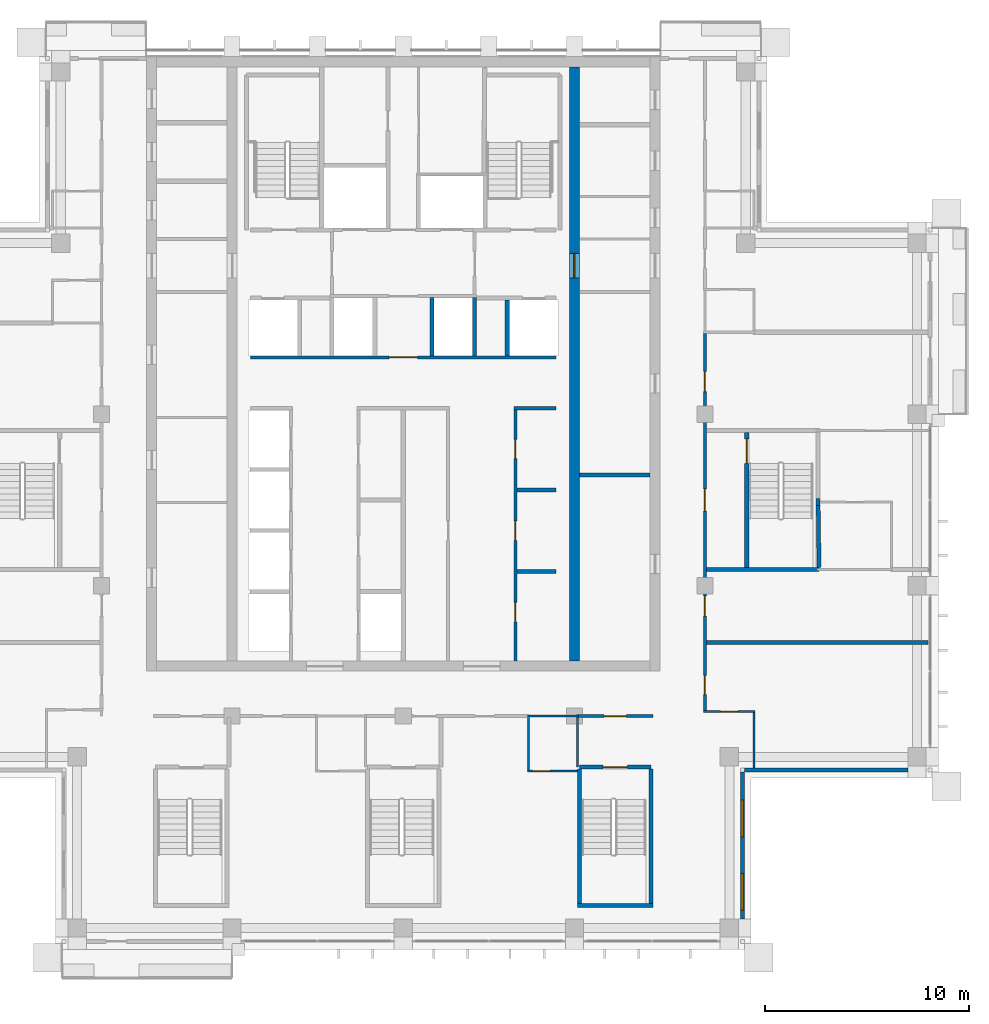
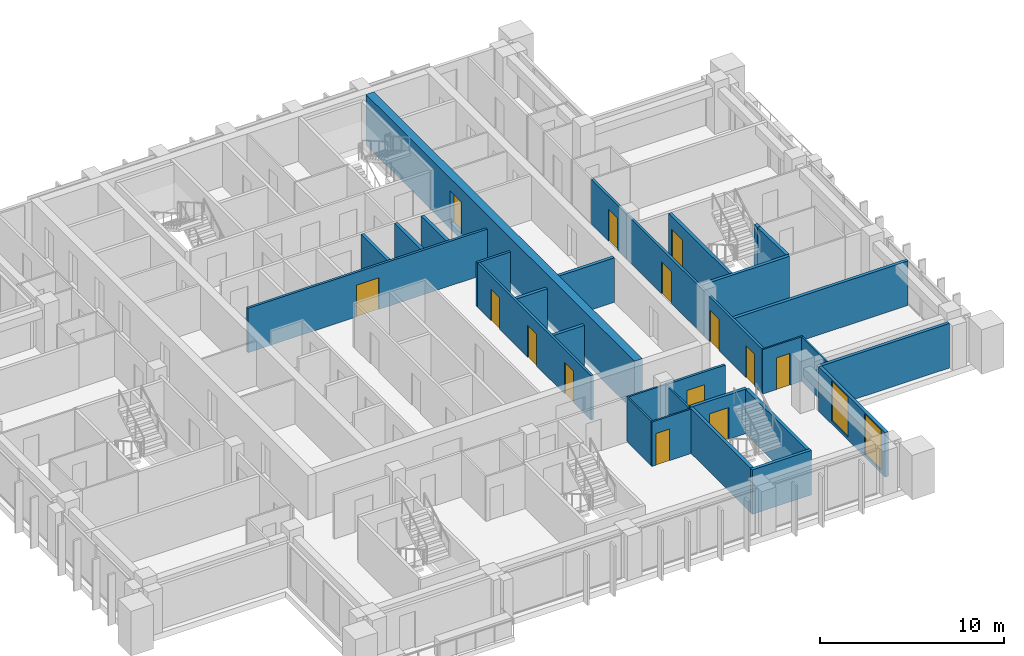
# One storey, part 10 of 18: 29 walls, 14 doors, 2 windows, 16 openings.
"""IFC4 building model written with IfcOpenShell, lengths in metres."""

from ifc_helpers import new_model, si_unit, direction, frame, frame_2d, origin, place, context, subcontext, project, spatial, rectangle, extrude, material, layer, layer_set, type_object, element, fill, save


model = new_model("IFC4")

# Units and contexts
model_context = context("Model", 3, precision=1e-05, world=origin(), true_north=direction((0.0, 1.0)))
body_context = subcontext(model_context, "Body", "Model", "MODEL_VIEW")
ifc_project = project(units=[si_unit("LENGTHUNIT", "METRE"), si_unit("AREAUNIT", "SQUARE_METRE"), si_unit("VOLUMEUNIT", "CUBIC_METRE"), si_unit("PLANEANGLEUNIT", "RADIAN"), si_unit("MASSUNIT", "GRAM", prefix="KILO")], contexts=[model_context])

# Site, building, storey
site_placement = place(None, origin())
site = spatial("IfcSite", under=ifc_project, at=site_placement, CompositionType="ELEMENT")
building_placement = place(site_placement, origin())
building = spatial("IfcBuilding", under=site, at=building_placement, Name="Vermilion Ogive Tower", CompositionType="ELEMENT")
storey_placement = place(building_placement, frame((0.0, 0.0, 261.39990234375)))
storey = spatial("IfcBuildingStorey", under=building, at=storey_placement, Name="L69", CompositionType="ELEMENT", Elevation=261.39990234375)

# Wall, opening, door
ifc_material_1 = material(Name="Concrete B60", Category="concrete")
ifc_layer_1 = layer(ifc_material_1, 0.5)
ifc_layer_set_1 = layer_set([ifc_layer_1], Name="Core wall 500 B60")
wall_type_1 = type_object("IfcWallType", Name="Core wall 500 B60", PredefinedType="SHEAR", material=ifc_layer_set_1)
wall_1_placement = place(storey_placement, frame((8.39990234375, -7.89990234375, -0.39990234375), z_axis=(0.0, 0.0, 1.0), x_axis=(0.0, 1.0, 0.0)))
wall_1 = element("IfcWall", 1, at=wall_1_placement, inside=storey, type_object=wall_type_1, Name="L69-CORE-WEB2", PredefinedType="SHEAR", context=body_context, shape_type="SweptSolid", body=[
    extrude(rectangle(XDim=29.14990234375, YDim=0.5, at=frame_2d((14.574951171875, 0.0))), origin(), (0.0, 0.0, 1.0), 3.35009765625),
])
opening_1_placement = place(wall_1_placement, frame((18.800048828125, 0.0, 0.39990234375)))
opening_1 = element("IfcOpeningElement", 2, at=opening_1_placement, cuts=wall_1, Name="Opening DAO024", PredefinedType="OPENING", context=body_context, shape_type="SweptSolid", body=[
    extrude(rectangle(XDim=1.199951171875, YDim=2.10009765625, at=frame_2d((0.60009765625, 1.050048828125))), frame((0.0, 0.260009765625, 0.0), z_axis=(0.0, -1.0, 0.0), x_axis=(1.0, 0.0, 0.0)), (0.0, 0.0, 1.0), 0.52001953125),
])
ifc_material_2 = material(Name="Timber door leaf", Category="wood")
door_type_1 = type_object("IfcDoorType", Name="Link door 1200 x 2100 FD60S", OperationType="SINGLE_SWING_LEFT", PredefinedType="DOOR", material=ifc_material_2)
door_1_placement = place(opening_1_placement, origin())
door_1 = element("IfcDoor", 3, at=door_1_placement, inside=storey, type_object=door_type_1, Name="L69-CKE-XW", OperationType="SINGLE_SWING_LEFT", OverallHeight=2.10009765625, OverallWidth=1.199951171875, PredefinedType="DOOR", context=body_context, shape_type="SweptSolid", body=[
    extrude(rectangle(XDim=1.199951171875, YDim=2.10009765625, at=frame_2d((0.60009765625, 1.050048828125))), frame((0.0, 0.02490234375, 0.0), z_axis=(0.0, -1.0, 0.0), x_axis=(1.0, 0.0, 0.0)), (0.0, 0.0, 1.0), 0.050048828125),
])
fill(opening_1, door_1)

ifc_material_3 = material(Name="Gypsum board partition on steel studs", Category="steel")
ifc_layer_2 = layer(ifc_material_3, 0.10009765625)
ifc_layer_set_2 = layer_set([ifc_layer_2], Name="Partition 100 bath")
wall_type_2 = type_object("IfcWallType", Name="Partition 100 bath", PredefinedType="PARTITIONING", material=ifc_layer_set_2)
wall_2_placement = place(storey_placement, frame((6.10009765625, -13.300048828125, 0.0), z_axis=(0.0, 0.0, 1.0), x_axis=(1.0, 0.0, 0.0)))
wall_2 = element("IfcWall", 4, at=wall_2_placement, inside=storey, type_object=wall_type_2, Name="L69-W-W002", PredefinedType="PARTITIONING", context=body_context, shape_type="SweptSolid", body=[
    extrude(rectangle(XDim=2.449951171875, YDim=0.10009765625, at=frame_2d((1.22509765625, 0.0))), origin(), (0.0, 0.0, 1.0), 2.9501953125),
])
opening_2_placement = place(wall_2_placement, frame((0.25, 0.0, 0.0)))
opening_2 = element("IfcOpeningElement", 5, at=opening_2_placement, cuts=wall_2, Name="Opening D5G6013", PredefinedType="OPENING", context=body_context, shape_type="SweptSolid", body=[
    extrude(rectangle(XDim=0.85009765625, YDim=2.10009765625, at=frame_2d((0.425048828125, 1.050048828125))), frame((0.0, 0.06005859375, 0.0), z_axis=(0.0, -1.0, 0.0), x_axis=(1.0, 0.0, 0.0)), (0.0, 0.0, 1.0), 0.1201171875),
])
ifc_material_4 = material(Name="Timber door leaf", Category="wood")
door_type_2 = type_object("IfcDoorType", Name="Bath door 850 x 2100 FD30", OperationType="SINGLE_SWING_LEFT", PredefinedType="DOOR", material=ifc_material_4)
door_2_placement = place(opening_2_placement, origin())
door_2 = element("IfcDoor", 6, at=door_2_placement, inside=storey, type_object=door_type_2, Name="L69-D-D013", OperationType="SINGLE_SWING_LEFT", OverallHeight=2.10009765625, OverallWidth=0.85009765625, PredefinedType="DOOR", context=body_context, shape_type="SweptSolid", body=[
    extrude(rectangle(XDim=0.85009765625, YDim=2.10009765625, at=frame_2d((0.425048828125, 1.050048828125))), frame((0.0, 0.02490234375, 0.0), z_axis=(0.0, -1.0, 0.0), x_axis=(1.0, 0.0, 0.0)), (0.0, 0.0, 1.0), 0.050048828125),
])
fill(opening_2, door_2)

# Wall
wall_3_placement = place(storey_placement, frame((6.10009765625, -10.60009765625, 0.0), z_axis=(0.0, 0.0, 1.0), x_axis=(1.0, 0.0, 0.0)))
element("IfcWall", 7, at=wall_3_placement, inside=storey, type_object=wall_type_2, Name="L69-W-W009", PredefinedType="PARTITIONING", context=body_context, shape_type="SweptSolid", body=[
    extrude(rectangle(XDim=2.5, YDim=0.10009765625, at=frame_2d((1.25, 0.0))), origin(), (0.0, 0.0, 1.0), 2.9501953125),
])

# Wall, opening, door
wall_4_placement = place(storey_placement, frame((14.72509765625, -10.3798828125, 0.0), z_axis=(0.0, 0.0, 1.0), x_axis=(1.0, 0.0, 0.0)))
wall_4 = element("IfcWall", 8, at=wall_4_placement, inside=storey, type_object=wall_type_2, Name="L69-W-W011", PredefinedType="PARTITIONING", context=body_context, shape_type="SweptSolid", body=[
    extrude(rectangle(XDim=2.52490234375, YDim=0.10009765625, at=frame_2d((1.262451171875, 0.0))), origin(), (0.0, 0.0, 1.0), 2.9501953125),
])
opening_3_placement = place(wall_4_placement, frame((0.849853515625, 0.0, 0.0)))
opening_3 = element("IfcOpeningElement", 9, at=opening_3_placement, cuts=wall_4, Name="Opening D5G6015", PredefinedType="OPENING", context=body_context, shape_type="SweptSolid", body=[
    extrude(rectangle(XDim=0.85009765625, YDim=2.10009765625, at=frame_2d((0.425048828125, 1.050048828125))), frame((0.0, 0.06005859375, 0.0), z_axis=(0.0, -1.0, 0.0), x_axis=(1.0, 0.0, 0.0)), (0.0, 0.0, 1.0), 0.1201171875),
])
door_3_placement = place(opening_3_placement, origin())
door_3 = element("IfcDoor", 10, at=door_3_placement, inside=storey, type_object=door_type_2, Name="L69-D-D015", OperationType="SINGLE_SWING_RIGHT", OverallHeight=2.10009765625, OverallWidth=0.85009765625, PredefinedType="DOOR", context=body_context, shape_type="SweptSolid", body=[
    extrude(rectangle(XDim=0.85009765625, YDim=2.10009765625, at=frame_2d((0.425048828125, 1.050048828125))), frame((0.0, 0.02490234375, 0.0), z_axis=(0.0, -1.0, 0.0), x_axis=(1.0, 0.0, 0.0)), (0.0, 0.0, 1.0), 0.050048828125),
])
fill(opening_3, door_3)

# Walls
wall_5_placement = place(storey_placement, frame((6.14990234375, -13.25, 0.0), z_axis=(0.0, 0.0, 1.0), x_axis=(0.0, 1.0, 0.0)))
element("IfcWall", 11, at=wall_5_placement, inside=storey, type_object=wall_type_2, Name="L69-W-W056", PredefinedType="PARTITIONING", context=body_context, shape_type="SweptSolid", body=[
    extrude(rectangle(XDim=2.574951171875, YDim=0.10009765625, at=frame_2d((1.28759765625, 0.0))), origin(), (0.0, 0.0, 1.0), 2.9501953125),
])
wall_6_placement = place(storey_placement, frame((8.550048828125, -13.10009765625, 0.0), z_axis=(0.0, 0.0, 1.0), x_axis=(0.0, 1.0, 0.0)))
element("IfcWall", 12, at=wall_6_placement, inside=storey, type_object=wall_type_2, Name="L69-W-W057", PredefinedType="PARTITIONING", context=body_context, shape_type="SweptSolid", body=[
    extrude(rectangle(XDim=2.425048828125, YDim=0.10009765625, at=frame_2d((1.21240234375, 0.0))), origin(), (0.0, 0.0, 1.0), 2.9501953125),
])
wall_7_placement = place(storey_placement, frame((17.199951171875, -13.14990234375, 0.0), z_axis=(0.0, 0.0, 1.0), x_axis=(0.0, 1.0, 0.0)))
element("IfcWall", 13, at=wall_7_placement, inside=storey, type_object=wall_type_2, Name="L69-W-W064", PredefinedType="PARTITIONING", context=body_context, shape_type="SweptSolid", body=[
    extrude(rectangle(XDim=2.719970703125, YDim=0.10009765625, at=frame_2d((1.35986328125, 0.0))), origin(), (0.0, 0.0, 1.0), 2.9501953125),
])

# Wall, opening, door
ifc_material_5 = material(Name="Gypsum board partition on steel studs", Category="steel")
ifc_layer_3 = layer(ifc_material_5, 0.14990234375)
ifc_layer_set_3 = layer_set([ifc_layer_3], Name="Partition 150 corridor")
wall_type_3 = type_object("IfcWallType", Name="Partition 150 corridor", PredefinedType="PARTITIONING", material=ifc_layer_set_3)
wall_8_placement = place(storey_placement, frame((8.5, -10.60009765625, 0.0), z_axis=(0.0, 0.0, 1.0), x_axis=(1.0, 0.0, 0.0)))
wall_8 = element("IfcWall", 14, at=wall_8_placement, inside=storey, type_object=wall_type_3, Name="L69-W-W010", PredefinedType="PARTITIONING", context=body_context, shape_type="SweptSolid", body=[
    extrude(rectangle(XDim=3.75, YDim=0.14990234375, at=frame_2d((1.875, 0.0))), origin(), (0.0, 0.0, 1.0), 2.9501953125),
])
opening_4_placement = place(wall_8_placement, frame((1.35009765625, 0.0, 0.0)))
opening_4 = element("IfcOpeningElement", 15, at=opening_4_placement, cuts=wall_8, Name="Opening D5G6027", PredefinedType="OPENING", context=body_context, shape_type="SweptSolid", body=[
    extrude(rectangle(XDim=1.10009765625, YDim=2.10009765625, at=frame_2d((0.550048828125, 1.050048828125))), frame((0.0, 0.0849609375, 0.0), z_axis=(0.0, -1.0, 0.0), x_axis=(1.0, 0.0, 0.0)), (0.0, 0.0, 1.0), 0.169921875),
])
ifc_material_6 = material(Name="Timber door leaf", Category="wood")
door_type_3 = type_object("IfcDoorType", Name="Stair door 1100 x 2100 FD60S", OperationType="SINGLE_SWING_LEFT", PredefinedType="DOOR", material=ifc_material_6)
door_4_placement = place(opening_4_placement, origin())
door_4 = element("IfcDoor", 16, at=door_4_placement, inside=storey, type_object=door_type_3, Name="L69-D-D027", OperationType="SINGLE_SWING_RIGHT", OverallHeight=2.10009765625, OverallWidth=1.10009765625, PredefinedType="DOOR", context=body_context, shape_type="SweptSolid", body=[
    extrude(rectangle(XDim=1.10009765625, YDim=2.10009765625, at=frame_2d((0.550048828125, 1.050048828125))), frame((0.0, 0.02490234375, 0.0), z_axis=(0.0, -1.0, 0.0), x_axis=(1.0, 0.0, 0.0)), (0.0, 0.0, 1.0), 0.050048828125),
])
fill(opening_4, door_4)

# Wall, openings, doors
wall_9_placement = place(storey_placement, frame((14.800048828125, -10.330078125, 0.0), z_axis=(0.0, 0.0, 1.0), x_axis=(0.0, 1.0, 0.0)))
wall_9 = element("IfcWall", 17, at=wall_9_placement, inside=storey, type_object=wall_type_3, Name="L69-W-W058", PredefinedType="PARTITIONING", context=body_context, shape_type="SweptSolid", body=[
    extrude(rectangle(XDim=18.510009765625, YDim=0.14990234375, at=frame_2d((9.2548828125, 0.0))), origin(), (0.0, 0.0, 1.0), 2.9501953125),
])
opening_5_placement = place(wall_9_placement, frame((0.780029296875, 0.0, 0.0)))
opening_5 = element("IfcOpeningElement", 18, at=opening_5_placement, cuts=wall_9, Name="Opening D5G6014", PredefinedType="OPENING", context=body_context, shape_type="SweptSolid", body=[
    extrude(rectangle(XDim=0.949951171875, YDim=2.10009765625, at=frame_2d((0.47509765625, 1.050048828125))), frame((0.0, 0.0849609375, 0.0), z_axis=(0.0, -1.0, 0.0), x_axis=(1.0, 0.0, 0.0)), (0.0, 0.0, 1.0), 0.169921875),
])
opening_6_placement = place(wall_9_placement, frame((15.64501953125, 0.0, 0.0)))
opening_6 = element("IfcOpeningElement", 19, at=opening_6_placement, cuts=wall_9, Name="Opening D5G6016", PredefinedType="OPENING", context=body_context, shape_type="SweptSolid", body=[
    extrude(rectangle(XDim=1.0, YDim=2.10009765625, at=frame_2d((0.5, 1.050048828125))), frame((0.0, 0.0849609375, 0.0), z_axis=(0.0, -1.0, 0.0), x_axis=(1.0, 0.0, 0.0)), (0.0, 0.0, 1.0), 0.169921875),
])
opening_7_placement = place(wall_9_placement, frame((9.780029296875, 0.0, 0.0)))
opening_7 = element("IfcOpeningElement", 20, at=opening_7_placement, cuts=wall_9, Name="Opening D5G6029", PredefinedType="OPENING", context=body_context, shape_type="SweptSolid", body=[
    extrude(rectangle(XDim=1.10009765625, YDim=2.10009765625, at=frame_2d((0.550048828125, 1.050048828125))), frame((0.0, 0.0849609375, 0.0), z_axis=(0.0, -1.0, 0.0), x_axis=(1.0, 0.0, 0.0)), (0.0, 0.0, 1.0), 0.169921875),
])
opening_8_placement = place(wall_9_placement, frame((4.630126953125, 0.0, 0.0)))
opening_8 = element("IfcOpeningElement", 21, at=opening_8_placement, cuts=wall_9, Name="Opening D5G6034", PredefinedType="OPENING", context=body_context, shape_type="SweptSolid", body=[
    extrude(rectangle(XDim=1.0, YDim=2.10009765625, at=frame_2d((0.5, 1.050048828125))), frame((0.0, 0.0849609375, 0.0), z_axis=(0.0, -1.0, 0.0), x_axis=(1.0, 0.0, 0.0)), (0.0, 0.0, 1.0), 0.169921875),
])
door_5_placement = place(opening_7_placement, origin())
door_5 = element("IfcDoor", 22, at=door_5_placement, inside=storey, type_object=door_type_3, Name="L69-D-D029", OperationType="SINGLE_SWING_LEFT", OverallHeight=2.10009765625, OverallWidth=1.10009765625, PredefinedType="DOOR", context=body_context, shape_type="SweptSolid", body=[
    extrude(rectangle(XDim=1.10009765625, YDim=2.10009765625, at=frame_2d((0.550048828125, 1.050048828125))), frame((0.0, 0.02490234375, 0.0), z_axis=(0.0, -1.0, 0.0), x_axis=(1.0, 0.0, 0.0)), (0.0, 0.0, 1.0), 0.050048828125),
])
fill(opening_7, door_5)
ifc_material_7 = material(Name="Timber door leaf", Category="wood")
door_type_4 = type_object("IfcDoorType", Name="Unit door 1000 x 2100 FD30S", OperationType="SINGLE_SWING_LEFT", PredefinedType="DOOR", material=ifc_material_7)
door_6_placement = place(opening_6_placement, origin())
door_6 = element("IfcDoor", 23, at=door_6_placement, inside=storey, type_object=door_type_4, Name="L69-D-D016", OperationType="SINGLE_SWING_LEFT", OverallHeight=2.10009765625, OverallWidth=1.0, PredefinedType="DOOR", context=body_context, shape_type="SweptSolid", body=[
    extrude(rectangle(XDim=1.0, YDim=2.10009765625, at=frame_2d((0.5, 1.050048828125))), frame((0.0, 0.02490234375, 0.0), z_axis=(0.0, -1.0, 0.0), x_axis=(1.0, 0.0, 0.0)), (0.0, 0.0, 1.0), 0.050048828125),
])
fill(opening_6, door_6)
door_7_placement = place(opening_8_placement, origin())
door_7 = element("IfcDoor", 24, at=door_7_placement, inside=storey, type_object=door_type_4, Name="L69-D-D034", OperationType="SINGLE_SWING_RIGHT", OverallHeight=2.10009765625, OverallWidth=1.0, PredefinedType="DOOR", context=body_context, shape_type="SweptSolid", body=[
    extrude(rectangle(XDim=1.0, YDim=2.10009765625, at=frame_2d((0.5, 1.050048828125))), frame((0.0, 0.02490234375, 0.0), z_axis=(0.0, -1.0, 0.0), x_axis=(1.0, 0.0, 0.0)), (0.0, 0.0, 1.0), 0.050048828125),
])
fill(opening_8, door_7)
ifc_material_8 = material(Name="Timber door leaf", Category="wood")
door_type_5 = type_object("IfcDoorType", Name="Unit door 950 x 2100 FD30S", OperationType="SINGLE_SWING_LEFT", PredefinedType="DOOR", material=ifc_material_8)
door_8_placement = place(opening_5_placement, origin())
door_8 = element("IfcDoor", 25, at=door_8_placement, inside=storey, type_object=door_type_5, Name="L69-D-D014", OperationType="SINGLE_SWING_RIGHT", OverallHeight=2.10009765625, OverallWidth=0.949951171875, PredefinedType="DOOR", context=body_context, shape_type="SweptSolid", body=[
    extrude(rectangle(XDim=0.949951171875, YDim=2.10009765625, at=frame_2d((0.47509765625, 1.050048828125))), frame((0.0, 0.02490234375, 0.0), z_axis=(0.0, -1.0, 0.0), x_axis=(1.0, 0.0, 0.0)), (0.0, 0.0, 1.0), 0.050048828125),
])
fill(opening_5, door_8)

# Wall
wall_10_placement = place(storey_placement, frame((5.425048828125, 4.5, 0.0), z_axis=(0.0, 0.0, 1.0), x_axis=(1.0, 0.0, 0.0)))
element("IfcWall", 26, at=wall_10_placement, inside=storey, type_object=wall_type_3, Name="L69-CK-W-W010", PredefinedType="PARTITIONING", context=body_context, shape_type="SweptSolid", body=[
    extrude(rectangle(XDim=2.074951171875, YDim=0.14990234375, at=frame_2d((1.03759765625, 0.0))), origin(), (0.0, 0.0, 1.0), 2.9501953125),
])

# Wall, opening, door
wall_11_placement = place(storey_placement, frame((-7.5, 7.0, 0.0), z_axis=(0.0, 0.0, 1.0), x_axis=(1.0, 0.0, 0.0)))
wall_11 = element("IfcWall", 27, at=wall_11_placement, inside=storey, type_object=wall_type_3, Name="L69-CK-W-W011", PredefinedType="PARTITIONING", context=body_context, shape_type="SweptSolid", body=[
    extrude(rectangle(XDim=15.0, YDim=0.14990234375, at=frame_2d((7.5, 0.0))), origin(), (0.0, 0.0, 1.0), 2.9501953125),
])
opening_9_placement = place(wall_11_placement, frame((6.800048828125, 0.0, 0.0)))
opening_9 = element("IfcOpeningElement", 28, at=opening_9_placement, cuts=wall_11, Name="Opening DAA658", PredefinedType="OPENING", context=body_context, shape_type="SweptSolid", body=[
    extrude(rectangle(XDim=1.39990234375, YDim=2.10009765625, at=frame_2d((0.699951171875, 1.050048828125))), frame((0.0, 0.0849609375, 0.0), z_axis=(0.0, -1.0, 0.0), x_axis=(1.0, 0.0, 0.0)), (0.0, 0.0, 1.0), 0.169921875),
])
ifc_material_9 = material(Name="Timber door leaf", Category="wood")
door_type_6 = type_object("IfcDoorType", Name="Lobby door 1400 x 2100 FD60S", OperationType="SINGLE_SWING_LEFT", PredefinedType="DOOR", material=ifc_material_9)
door_9_placement = place(opening_9_placement, origin())
door_9 = element("IfcDoor", 29, at=door_9_placement, inside=storey, type_object=door_type_6, Name="L69-CK-D-D016", OperationType="SINGLE_SWING_RIGHT", OverallHeight=2.10009765625, OverallWidth=1.39990234375, PredefinedType="DOOR", context=body_context, shape_type="SweptSolid", body=[
    extrude(rectangle(XDim=1.39990234375, YDim=2.10009765625, at=frame_2d((0.699951171875, 1.050048828125))), frame((0.0, 0.02490234375, 0.0), z_axis=(0.0, -1.0, 0.0), x_axis=(1.0, 0.0, 0.0)), (0.0, 0.0, 1.0), 0.050048828125),
])
fill(opening_9, door_9)

# Wall, openings, doors
wall_12_placement = place(storey_placement, frame((5.5, -7.89892578125, 0.0), z_axis=(0.0, 0.0, 1.0), x_axis=(0.0, 1.0, 0.0)))
wall_12 = element("IfcWall", 30, at=wall_12_placement, inside=storey, type_object=wall_type_3, Name="L69-CK-W-W038", PredefinedType="PARTITIONING", context=body_context, shape_type="SweptSolid", body=[
    extrude(rectangle(XDim=12.323974609375, YDim=0.14990234375, at=frame_2d((6.162109375, 0.0))), origin(), (0.0, 0.0, 1.0), 2.9501953125),
])
opening_10_placement = place(wall_12_placement, frame((1.923828125, 0.0, 0.0)))
opening_10 = element("IfcOpeningElement", 31, at=opening_10_placement, cuts=wall_12, Name="Opening DAA664", PredefinedType="OPENING", context=body_context, shape_type="SweptSolid", body=[
    extrude(rectangle(XDim=0.949951171875, YDim=2.10009765625, at=frame_2d((0.47509765625, 1.050048828125))), frame((0.0, 0.0849609375, 0.0), z_axis=(0.0, -1.0, 0.0), x_axis=(1.0, 0.0, 0.0)), (0.0, 0.0, 1.0), 0.169921875),
])
opening_11_placement = place(wall_12_placement, frame((5.923828125, 0.0, 0.0)))
opening_11 = element("IfcOpeningElement", 32, at=opening_11_placement, cuts=wall_12, Name="Opening DAA665", PredefinedType="OPENING", context=body_context, shape_type="SweptSolid", body=[
    extrude(rectangle(XDim=0.949951171875, YDim=2.10009765625, at=frame_2d((0.47509765625, 1.050048828125))), frame((0.0, 0.0849609375, 0.0), z_axis=(0.0, -1.0, 0.0), x_axis=(1.0, 0.0, 0.0)), (0.0, 0.0, 1.0), 0.169921875),
])
opening_12_placement = place(wall_12_placement, frame((9.923828125, 0.0, 0.0)))
opening_12 = element("IfcOpeningElement", 33, at=opening_12_placement, cuts=wall_12, Name="Opening DAA666", PredefinedType="OPENING", context=body_context, shape_type="SweptSolid", body=[
    extrude(rectangle(XDim=0.949951171875, YDim=2.10009765625, at=frame_2d((0.47509765625, 1.050048828125))), frame((0.0, 0.0849609375, 0.0), z_axis=(0.0, -1.0, 0.0), x_axis=(1.0, 0.0, 0.0)), (0.0, 0.0, 1.0), 0.169921875),
])
ifc_material_10 = material(Name="Timber door leaf", Category="wood")
door_type_7 = type_object("IfcDoorType", Name="Service door 950 x 2100 FD60", OperationType="SINGLE_SWING_LEFT", PredefinedType="DOOR", material=ifc_material_10)
door_10_placement = place(opening_10_placement, origin())
door_10 = element("IfcDoor", 34, at=door_10_placement, inside=storey, type_object=door_type_7, Name="L69-CK-D-D009", OperationType="SINGLE_SWING_LEFT", OverallHeight=2.10009765625, OverallWidth=0.949951171875, PredefinedType="DOOR", context=body_context, shape_type="SweptSolid", body=[
    extrude(rectangle(XDim=0.949951171875, YDim=2.10009765625, at=frame_2d((0.47509765625, 1.050048828125))), frame((0.0, 0.02490234375, 0.0), z_axis=(0.0, -1.0, 0.0), x_axis=(1.0, 0.0, 0.0)), (0.0, 0.0, 1.0), 0.050048828125),
])
fill(opening_10, door_10)
door_11_placement = place(opening_11_placement, origin())
door_11 = element("IfcDoor", 35, at=door_11_placement, inside=storey, type_object=door_type_7, Name="L69-CK-D-D010", OperationType="SINGLE_SWING_LEFT", OverallHeight=2.10009765625, OverallWidth=0.949951171875, PredefinedType="DOOR", context=body_context, shape_type="SweptSolid", body=[
    extrude(rectangle(XDim=0.949951171875, YDim=2.10009765625, at=frame_2d((0.47509765625, 1.050048828125))), frame((0.0, 0.02490234375, 0.0), z_axis=(0.0, -1.0, 0.0), x_axis=(1.0, 0.0, 0.0)), (0.0, 0.0, 1.0), 0.050048828125),
])
fill(opening_11, door_11)
door_12_placement = place(opening_12_placement, origin())
door_12 = element("IfcDoor", 36, at=door_12_placement, inside=storey, type_object=door_type_7, Name="L69-CK-D-D011", OperationType="SINGLE_SWING_RIGHT", OverallHeight=2.10009765625, OverallWidth=0.949951171875, PredefinedType="DOOR", context=body_context, shape_type="SweptSolid", body=[
    extrude(rectangle(XDim=0.949951171875, YDim=2.10009765625, at=frame_2d((0.47509765625, 1.050048828125))), frame((0.0, 0.02490234375, 0.0), z_axis=(0.0, -1.0, 0.0), x_axis=(1.0, 0.0, 0.0)), (0.0, 0.0, 1.0), 0.050048828125),
])
fill(opening_12, door_12)

# Walls
ifc_material_11 = material(Name="Gypsum board partition on steel studs", Category="steel")
ifc_layer_4 = layer(ifc_material_11, 0.199951171875)
ifc_layer_set_4 = layer_set([ifc_layer_4], Name="Partition 200 party")
wall_type_4 = type_object("IfcWallType", Name="Partition 200 party", PredefinedType="PARTITIONING", material=ifc_layer_set_4)
wall_13_placement = place(storey_placement, frame((14.875, -7.0, 0.0), z_axis=(0.0, 0.0, 1.0), x_axis=(1.0, 0.0, 0.0)))
element("IfcWall", 37, at=wall_13_placement, inside=storey, type_object=wall_type_4, Name="L69-W-W014", PredefinedType="PARTITIONING", context=body_context, shape_type="SweptSolid", body=[
    extrude(rectangle(XDim=10.875, YDim=0.199951171875, at=frame_2d((5.4375, 0.0))), origin(), (0.0, 0.0, 1.0), 2.9501953125),
])
for number, where, z_axis, x_axis, name in (
    (38, (5.574951171875, -3.5, 0.0), (0.0, 0.0, 1.0), (1.0, 0.0, 0.0), "L69-CK-W-W003"),
    (39, (5.574951171875, 0.5, 0.0), (0.0, 0.0, 1.0), (1.0, 0.0, 0.0), "L69-CK-W-W006"),
):
    element("IfcWall", number, at=place(storey_placement, frame(where, z_axis=z_axis, x_axis=x_axis)), inside=storey, type_object=wall_type_4, Name=name, PredefinedType="PARTITIONING", context=body_context, shape_type="SweptSolid", body=[
        extrude(rectangle(XDim=1.925048828125, YDim=0.199951171875, at=frame_2d((0.96240234375, 0.0))), origin(), (0.0, 0.0, 1.0), 2.9501953125),
    ])
for number, where, z_axis, x_axis, name in (
    (40, (1.39990234375, 7.074951171875, 0.0), (0.0, 0.0, 1.0), (0.0, 1.0, 0.0), "L69-CK-W-W031"),
    (41, (3.5, 7.074951171875, 0.0), (0.0, 0.0, 1.0), (0.0, 1.0, 0.0), "L69-CK-W-W033"),
):
    element("IfcWall", number, at=place(storey_placement, frame(where, z_axis=z_axis, x_axis=x_axis)), inside=storey, type_object=wall_type_4, Name=name, PredefinedType="PARTITIONING", context=body_context, shape_type="SweptSolid", body=[
        extrude(rectangle(XDim=2.85009765625, YDim=0.199951171875, at=frame_2d((1.425048828125, 0.0))), origin(), (0.0, 0.0, 1.0), 2.9501953125),
    ])
wall_14_placement = place(storey_placement, frame((5.10009765625, 7.074951171875, 0.0), z_axis=(0.0, 0.0, 1.0), x_axis=(0.0, 1.0, 0.0)))
element("IfcWall", 42, at=wall_14_placement, inside=storey, type_object=wall_type_4, Name="L69-CK-W-W037", PredefinedType="PARTITIONING", context=body_context, shape_type="SweptSolid", body=[
    extrude(rectangle(XDim=2.72509765625, YDim=0.199951171875, at=frame_2d((1.362548828125, 0.0))), origin(), (0.0, 0.0, 1.0), 2.9501953125),
])
wall_15_placement = place(storey_placement, frame((8.65087890625, 1.22509765625, 0.0), z_axis=(0.0, 0.0, 1.0), x_axis=(1.0, 0.0, 0.0)))
element("IfcWall", 43, at=wall_15_placement, inside=storey, type_object=wall_type_4, Name="L69-CKE-W-W001", PredefinedType="PARTITIONING", context=body_context, shape_type="SweptSolid", body=[
    extrude(rectangle(XDim=3.4482421875, YDim=0.199951171875, at=frame_2d((1.72412109375, 0.0))), origin(), (0.0, 0.0, 1.0), 2.9501953125),
])

# Wall, opening, door
ifc_material_12 = material(Name="Concrete B60", Category="concrete")
ifc_layer_5 = layer(ifc_material_12, 0.199951171875)
ifc_layer_set_5 = layer_set([ifc_layer_5], Name="Stair shaft wall 200 Concrete B60")
wall_type_5 = type_object("IfcWallType", Name="Stair shaft wall 200 Concrete B60", PredefinedType="SOLIDWALL", material=ifc_layer_set_5)
wall_16_placement = place(storey_placement, frame((8.64990234375, -13.10009765625, 0.0), z_axis=(0.0, 0.0, 1.0), x_axis=(1.0, 0.0, 0.0)))
wall_16 = element("IfcWall", 44, at=wall_16_placement, inside=storey, type_object=wall_type_5, Name="L69-W-W005", PredefinedType="SOLIDWALL", context=body_context, shape_type="SweptSolid", body=[
    extrude(rectangle(XDim=3.5, YDim=0.199951171875, at=frame_2d((1.75, 0.0))), origin(), (0.0, 0.0, 1.0), 2.9501953125),
])
opening_13_placement = place(wall_16_placement, frame((1.150146484375, 0.0, 0.0)))
opening_13 = element("IfcOpeningElement", 45, at=opening_13_placement, cuts=wall_16, Name="Opening D5G6028", PredefinedType="OPENING", context=body_context, shape_type="SweptSolid", body=[
    extrude(rectangle(XDim=1.199951171875, YDim=2.10009765625, at=frame_2d((0.60009765625, 1.050048828125))), frame((0.0, 0.10986328125, 0.0), z_axis=(0.0, -1.0, 0.0), x_axis=(1.0, 0.0, 0.0)), (0.0, 0.0, 1.0), 0.219970703125),
])
ifc_material_13 = material(Name="Timber door leaf", Category="wood")
door_type_8 = type_object("IfcDoorType", Name="Stair door 1200 x 2100 FD60S", OperationType="SINGLE_SWING_LEFT", PredefinedType="DOOR", material=ifc_material_13)
door_13_placement = place(opening_13_placement, origin())
door_13 = element("IfcDoor", 46, at=door_13_placement, inside=storey, type_object=door_type_8, Name="L69-D-D028", OperationType="SINGLE_SWING_RIGHT", OverallHeight=2.10009765625, OverallWidth=1.199951171875, PredefinedType="DOOR", context=body_context, shape_type="SweptSolid", body=[
    extrude(rectangle(XDim=1.199951171875, YDim=2.10009765625, at=frame_2d((0.60009765625, 1.050048828125))), frame((0.0, 0.02490234375, 0.0), z_axis=(0.0, -1.0, 0.0), x_axis=(1.0, 0.0, 0.0)), (0.0, 0.0, 1.0), 0.050048828125),
])
fill(opening_13, door_13)

wall_17_placement = place(storey_placement, frame((16.85009765625, -3.300048828125, 0.0), z_axis=(0.0, 0.0, 1.0), x_axis=(0.0, 1.0, 0.0)))
wall_17 = element("IfcWall", 47, at=wall_17_placement, inside=storey, type_object=wall_type_5, Name="L69-W-W063", PredefinedType="SOLIDWALL", context=body_context, shape_type="SweptSolid", body=[
    extrude(rectangle(XDim=6.60009765625, YDim=0.199951171875, at=frame_2d((3.300048828125, 0.0))), origin(), (0.0, 0.0, 1.0), 2.9501953125),
])
opening_14_placement = place(wall_17_placement, frame((5.10009765625, 0.0, 0.0)))
opening_14 = element("IfcOpeningElement", 48, at=opening_14_placement, cuts=wall_17, Name="Opening D5G6030", PredefinedType="OPENING", context=body_context, shape_type="SweptSolid", body=[
    extrude(rectangle(XDim=1.199951171875, YDim=2.10009765625, at=frame_2d((0.60009765625, 1.050048828125))), frame((0.0, 0.10986328125, 0.0), z_axis=(0.0, -1.0, 0.0), x_axis=(1.0, 0.0, 0.0)), (0.0, 0.0, 1.0), 0.219970703125),
])
door_14_placement = place(opening_14_placement, origin())
door_14 = element("IfcDoor", 49, at=door_14_placement, inside=storey, type_object=door_type_8, Name="L69-D-D030", OperationType="SINGLE_SWING_LEFT", OverallHeight=2.10009765625, OverallWidth=1.199951171875, PredefinedType="DOOR", context=body_context, shape_type="SweptSolid", body=[
    extrude(rectangle(XDim=1.199951171875, YDim=2.10009765625, at=frame_2d((0.60009765625, 1.050048828125))), frame((0.0, 0.02490234375, 0.0), z_axis=(0.0, -1.0, 0.0), x_axis=(1.0, 0.0, 0.0)), (0.0, 0.0, 1.0), 0.050048828125),
])
fill(opening_14, door_14)

# Walls
wall_18_placement = place(storey_placement, frame((20.400146484375, -3.300048828125, 0.0), z_axis=(0.0, 0.0, 1.0), x_axis=(-0.015629385514, 0.999877853694, 0.0)))
element("IfcWall", 50, at=wall_18_placement, inside=storey, type_object=wall_type_5, Name="L69-W-W067", PredefinedType="SOLIDWALL", context=body_context, shape_type="SweptSolid", body=[
    extrude(rectangle(XDim=3.030517578125, YDim=0.199951171875, at=frame_2d((1.51513671875, 0.0))), origin(), (0.0, 0.0, 1.0), 2.9501953125),
])
wall_19_placement = place(storey_placement, frame((8.550048828125, -19.89990234375, 0.0), z_axis=(0.0, 0.0, 1.0), x_axis=(1.0, 0.0, 0.0)))
element("IfcWall", 51, at=wall_19_placement, inside=storey, type_object=wall_type_5, Name="L69-SW-ST5-S1", PredefinedType="SOLIDWALL", context=body_context, shape_type="SweptSolid", body=[
    extrude(rectangle(XDim=3.699951171875, YDim=0.199951171875, at=frame_2d((1.85009765625, 0.0))), origin(), (0.0, 0.0, 1.0), 2.9501953125),
])
for number, where, z_axis, x_axis, name in (
    (52, (8.64990234375, -19.800048828125, 0.0), (0.0, 0.0, 1.0), (0.0, 1.0, 0.0), "L69-SW-ST5-W1"),
    (53, (12.14990234375, -19.800048828125, 0.0), (0.0, 0.0, 1.0), (0.0, 1.0, 0.0), "L69-SW-ST5-E1"),
):
    element("IfcWall", number, at=place(storey_placement, frame(where, z_axis=z_axis, x_axis=x_axis)), inside=storey, type_object=wall_type_5, Name=name, PredefinedType="SOLIDWALL", context=body_context, shape_type="SweptSolid", body=[
        extrude(rectangle(XDim=6.60009765625, YDim=0.199951171875, at=frame_2d((3.300048828125, 0.0))), origin(), (0.0, 0.0, 1.0), 2.9501953125),
    ])
wall_20_placement = place(storey_placement, frame((20.35009765625, -0.27001953125, 0.0), z_axis=(0.0, 0.0, 1.0), x_axis=(0.0, 1.0, 0.0)))
element("IfcWall", 54, at=wall_20_placement, inside=storey, type_object=wall_type_5, Name="L69-SW-ST8-E1", PredefinedType="SOLIDWALL", context=body_context, shape_type="SweptSolid", body=[
    extrude(rectangle(XDim=0.340087890625, YDim=0.199951171875, at=frame_2d((0.169921875, 0.0))), origin(), (0.0, 0.0, 1.0), 2.9501953125),
])
wall_21_placement = place(storey_placement, frame((14.875, -3.39990234375, 0.0), z_axis=(0.0, 0.0, 1.0), x_axis=(1.0, 0.0, 0.0)))
element("IfcWall", 55, at=wall_21_placement, inside=storey, type_object=wall_type_5, Name="L69-W-W018-A", PredefinedType="SOLIDWALL", context=body_context, shape_type="SweptSolid", body=[
    extrude(rectangle(XDim=5.52490234375, YDim=0.199951171875, at=frame_2d((2.762451171875, 0.0))), origin(), (0.0, 0.0, 1.0), 2.9501953125),
])

# Wall, openings, windows
ifc_material_14 = material(Name="Aluminium window wall framing", Category="aluminium")
ifc_layer_6 = layer(ifc_material_14, 0.199951171875)
ifc_layer_set_6 = layer_set([ifc_layer_6], Name="Window wall")
wall_type_6 = type_object("IfcWallType", Name="Window wall", PredefinedType="STANDARD", material=ifc_layer_set_6)
wall_22_placement = place(storey_placement, frame((16.64990234375, -20.550048828125, 0.0), z_axis=(0.0, 0.0, 1.0), x_axis=(0.0, 1.0, 0.0)))
wall_22 = element("IfcWall", 56, at=wall_22_placement, inside=storey, type_object=wall_type_6, Name="Window wall X11", PredefinedType="STANDARD", context=body_context, shape_type="SweptSolid", body=[
    extrude(rectangle(XDim=7.199951171875, YDim=0.199951171875, at=frame_2d((3.60009765625, 0.0))), origin(), (0.0, 0.0, 1.0), 2.9501953125),
])
opening_15_placement = place(wall_22_placement, frame((0.425048828125, 0.0, 0.199951171875)))
opening_15 = element("IfcOpeningElement", 57, at=opening_15_placement, cuts=wall_22, Name="Opening W1-X195", PredefinedType="OPENING", context=body_context, shape_type="SweptSolid", body=[
    extrude(rectangle(XDim=1.800048828125, YDim=2.64990234375, at=frame_2d((0.89990234375, 1.324951171875))), frame((0.0, 0.10986328125, 0.0), z_axis=(0.0, -1.0, 0.0), x_axis=(1.0, 0.0, 0.0)), (0.0, 0.0, 1.0), 0.219970703125),
])
opening_16_placement = place(wall_22_placement, frame((4.02490234375, 0.0, 0.199951171875)))
opening_16 = element("IfcOpeningElement", 58, at=opening_16_placement, cuts=wall_22, Name="Opening W1-X196", PredefinedType="OPENING", context=body_context, shape_type="SweptSolid", body=[
    extrude(rectangle(XDim=1.800048828125, YDim=2.64990234375, at=frame_2d((0.89990234375, 1.324951171875))), frame((0.0, 0.10986328125, 0.0), z_axis=(0.0, -1.0, 0.0), x_axis=(1.0, 0.0, 0.0)), (0.0, 0.0, 1.0), 0.219970703125),
])
ifc_material_15 = material(Name="Aluminium framed double glazing", Category="aluminium")
window_type = type_object("IfcWindowType", Name="Guest window W1", PartitioningType="SINGLE_PANEL", PredefinedType="WINDOW", material=ifc_material_15)
window_1_placement = place(opening_15_placement, origin())
window_1 = element("IfcWindow", 59, at=window_1_placement, inside=storey, type_object=window_type, Name="Window X195", OverallHeight=2.64990234375, OverallWidth=1.800048828125, PartitioningType="SINGLE_PANEL", PredefinedType="WINDOW", context=body_context, shape_type="SweptSolid", body=[
    extrude(rectangle(XDim=1.800048828125, YDim=2.64990234375, at=frame_2d((0.89990234375, 1.324951171875))), frame((0.0, 0.030029296875, 0.0), z_axis=(0.0, -1.0, 0.0), x_axis=(1.0, 0.0, 0.0)), (0.0, 0.0, 1.0), 0.06005859375),
])
fill(opening_15, window_1)
window_2_placement = place(opening_16_placement, origin())
window_2 = element("IfcWindow", 60, at=window_2_placement, inside=storey, type_object=window_type, Name="Window X196", OverallHeight=2.64990234375, OverallWidth=1.800048828125, PartitioningType="SINGLE_PANEL", PredefinedType="WINDOW", context=body_context, shape_type="SweptSolid", body=[
    extrude(rectangle(XDim=1.800048828125, YDim=2.64990234375, at=frame_2d((0.89990234375, 1.324951171875))), frame((0.0, 0.030029296875, 0.0), z_axis=(0.0, -1.0, 0.0), x_axis=(1.0, 0.0, 0.0)), (0.0, 0.0, 1.0), 0.06005859375),
])
fill(opening_16, window_2)

# Wall
wall_23_placement = place(storey_placement, frame((16.75, -13.25, 0.0), z_axis=(0.0, 0.0, 1.0), x_axis=(1.0, 0.0, 0.0)))
element("IfcWall", 61, at=wall_23_placement, inside=storey, type_object=wall_type_6, Name="Window wall X21", PredefinedType="STANDARD", context=body_context, shape_type="SweptSolid", body=[
    extrude(rectangle(XDim=8.0, YDim=0.199951171875, at=frame_2d((4.0, 0.0))), origin(), (0.0, 0.0, 1.0), 2.9501953125),
])

save(model, "model.ifc")
